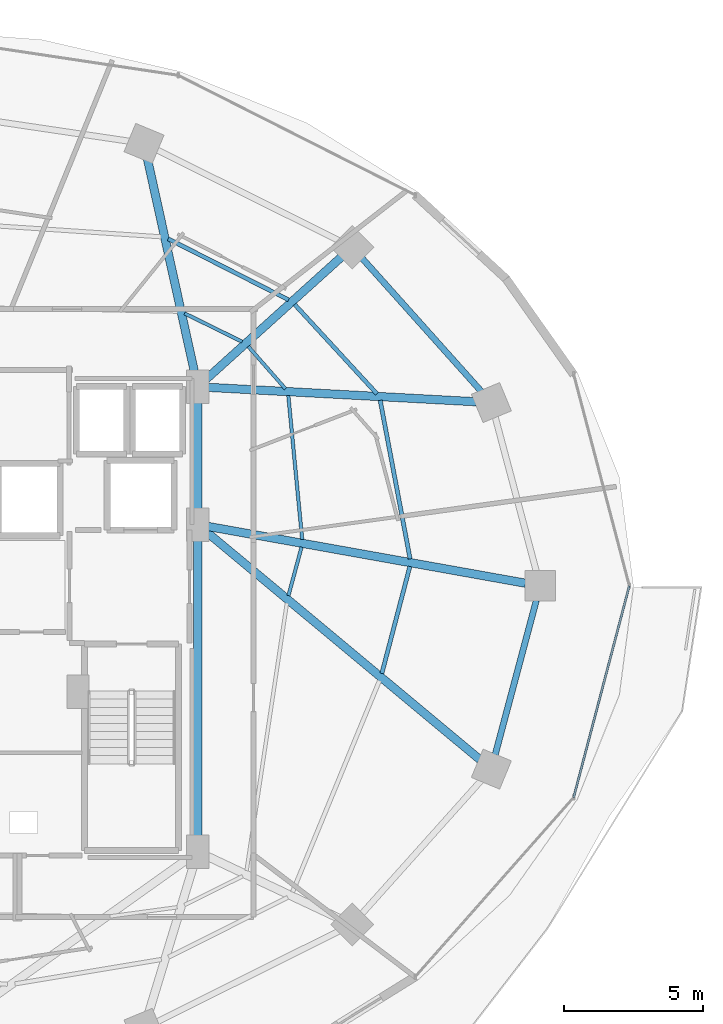
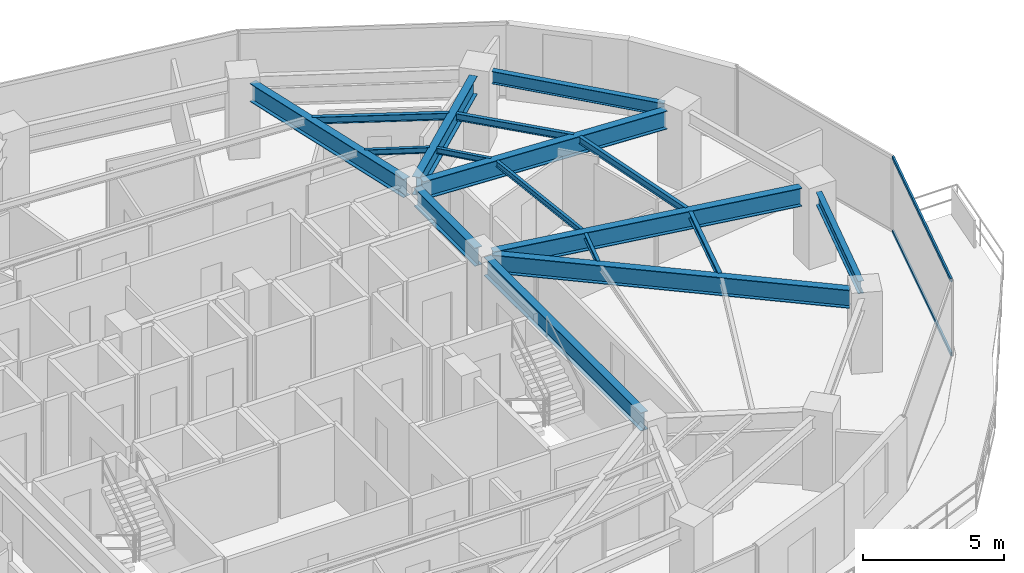
# One storey, part 14 of 30: 17 beams, 2 members, 1 element without a shape of its own.
"""IFC4 building model written with IfcOpenShell, lengths in metres."""

from ifc_helpers import new_model, si_unit, direction, frame, origin, origin_2d, place, context, subcontext, project, spatial, hollow_rectangle, i_section, extrude, material, material_profile, profile_set, type_object, element, aggregate, save


model = new_model("IFC4")

# Units and contexts
model_context = context("Model", 3, precision=1e-05, world=origin(), true_north=direction((0.0, 1.0)))
body_context = subcontext(model_context, "Body", "Model", "MODEL_VIEW")
ifc_project = project(units=[si_unit("LENGTHUNIT", "METRE"), si_unit("AREAUNIT", "SQUARE_METRE"), si_unit("VOLUMEUNIT", "CUBIC_METRE"), si_unit("PLANEANGLEUNIT", "RADIAN"), si_unit("MASSUNIT", "GRAM", prefix="KILO")], contexts=[model_context])

# Site, building, storey
site_placement = place(None, origin())
site = spatial("IfcSite", under=ifc_project, at=site_placement, CompositionType="ELEMENT")
building_placement = place(site_placement, origin())
building = spatial("IfcBuilding", under=site, at=building_placement, Name="Vorneva Point Tower", CompositionType="ELEMENT")
storey_placement = place(building_placement, frame((0.0, 0.0, 96.300048828125)))
storey = spatial("IfcBuildingStorey", under=building, at=storey_placement, Name="L25", CompositionType="ELEMENT", Elevation=96.300048828125)

# Beams
ifc_material_1 = material(Name="Steel S355", Category="steel")
ifc_material_profile_1 = material_profile(ifc_material_1, i_section(OverallWidth=0.300048828125, OverallDepth=0.7880859375, WebThickness=0.014404296875, FlangeThickness=0.02197265625, at=origin_2d()), Name="80Sh1")
ifc_profile_set_1 = profile_set([ifc_material_profile_1], Name="Steel S355")
beam_type_1 = type_object("IfcBeamType", Name="BM-GRD-80Sh1", PredefinedType="USERDEFINED", material=ifc_profile_set_1)
beam_1_placement = place(storey_placement, frame((60.5205078125, 26.0947265625, 2.845947265625), z_axis=(-0.984378310682, 0.176066298476, 0.0), x_axis=(-0.176066298476, -0.984378310682, 0.0)))
element("IfcBeam", 1, at=beam_1_placement, inside=storey, type_object=beam_type_1, Name="L25 Radial Primary Girder 01", ObjectType="GIRDER", PredefinedType="USERDEFINED", context=body_context, shape_type="SweptSolid", body=[
    extrude(i_section(OverallWidth=0.300048828125, OverallDepth=0.7880859375, WebThickness=0.014404296875, FlangeThickness=0.02197265625, at=origin_2d()), origin(), (0.0, 0.0, 1.0), 11.6171875),
])
beam_2_placement = place(storey_placement, frame((58.75830078125, 32.611083984375, 2.845947265625), z_axis=(-0.998554075878, 0.053756465161, 0.0), x_axis=(-0.053756465161, -0.998554075878, 0.0)))
element("IfcBeam", 2, at=beam_2_placement, inside=storey, type_object=beam_type_1, Name="L25 Radial Primary Girder 02", ObjectType="GIRDER", PredefinedType="USERDEFINED", context=body_context, shape_type="SweptSolid", body=[
    extrude(i_section(OverallWidth=0.300048828125, OverallDepth=0.7880859375, WebThickness=0.014404296875, FlangeThickness=0.02197265625, at=origin_2d()), origin(), (0.0, 0.0, 1.0), 9.6826171875),
])
beam_3_placement = place(storey_placement, frame((53.899658203125, 37.801513671875, 2.845947265625), z_axis=(-0.742097300344, -0.670292172729, 0.0), x_axis=(0.670292172729, -0.742097300344, 0.0)))
element("IfcBeam", 3, at=beam_3_placement, inside=storey, type_object=beam_type_1, Name="L25 Radial Primary Girder 03", ObjectType="GIRDER", PredefinedType="USERDEFINED", context=body_context, shape_type="SweptSolid", body=[
    extrude(i_section(OverallWidth=0.300048828125, OverallDepth=0.7880859375, WebThickness=0.014404296875, FlangeThickness=0.02197265625, at=origin_2d()), origin(), (0.0, 0.0, 1.0), 6.599365234375),
])
beam_4_placement = place(storey_placement, frame((46.936767578125, 41.365234375, 2.845947265625), z_axis=(0.215530944428, -0.976497010745, 0.0), x_axis=(0.976497010745, 0.215530944428, 0.0)))
element("IfcBeam", 4, at=beam_4_placement, inside=storey, type_object=beam_type_1, Name="L25 Radial Primary Girder 04", ObjectType="GIRDER", PredefinedType="USERDEFINED", context=body_context, shape_type="SweptSolid", body=[
    extrude(i_section(OverallWidth=0.300048828125, OverallDepth=0.7880859375, WebThickness=0.014404296875, FlangeThickness=0.02197265625, at=origin_2d()), origin(), (0.0, 0.0, 1.0), 8.072998046875),
])
beam_5_placement = place(storey_placement, frame((58.882080078125, 19.76220703125, 2.845947265625), z_axis=(-0.768431550428, 0.639931990376, 0.0), x_axis=(-0.639931990376, -0.768431550428, 0.0)))
element("IfcBeam", 5, at=beam_5_placement, inside=storey, type_object=beam_type_1, Name="L25 Radial Primary Girder 16", ObjectType="GIRDER", PredefinedType="USERDEFINED", context=body_context, shape_type="SweptSolid", body=[
    extrude(i_section(OverallWidth=0.300048828125, OverallDepth=0.7880859375, WebThickness=0.014404296875, FlangeThickness=0.02197265625, at=origin_2d()), origin(), (0.0, 0.0, 1.0), 12.845458984375),
])
beam_6_placement = place(storey_placement, frame((48.75, 16.77001953125, 2.845947265625), z_axis=(0.0, 1.0, 0.0), x_axis=(-1.0, 0.0, 0.0)))
element("IfcBeam", 6, at=beam_6_placement, inside=storey, type_object=beam_type_1, Name="L25 Core Tie Girder CT3", ObjectType="GIRDER", PredefinedType="USERDEFINED", context=body_context, shape_type="SweptSolid", body=[
    extrude(i_section(OverallWidth=0.300048828125, OverallDepth=0.7880859375, WebThickness=0.014404296875, FlangeThickness=0.02197265625, at=origin_2d()), origin(), (0.0, 0.0, 1.0), 11.10986328125),
])
beam_7_placement = place(storey_placement, frame((48.75, 28.52001953125, 2.845947265625), z_axis=(0.0, 1.0, 0.0), x_axis=(-1.0, 0.0, 0.0)))
element("IfcBeam", 7, at=beam_7_placement, inside=storey, type_object=beam_type_1, Name="L25 Core Tie Girder CT4", ObjectType="GIRDER", PredefinedType="USERDEFINED", context=body_context, shape_type="SweptSolid", body=[
    extrude(i_section(OverallWidth=0.300048828125, OverallDepth=0.7880859375, WebThickness=0.014404296875, FlangeThickness=0.02197265625, at=origin_2d()), origin(), (0.0, 0.0, 1.0), 4.31005859375),
])
ifc_material_profile_2 = material_profile(ifc_material_1, i_section(OverallWidth=0.1240234375, OverallDepth=0.248046875, WebThickness=0.0048828125, FlangeThickness=0.008056640625, at=origin_2d()), Name="25B1")
ifc_profile_set_2 = profile_set([ifc_material_profile_2], Name="Steel S355")
beam_type_2 = type_object("IfcBeamType", Name="BM-JST-25B1", PredefinedType="JOIST", material=ifc_profile_set_2)
beam_8_placement = place(storey_placement, frame((52.502197265625, 27.663818359375, 3.115966796875), z_axis=(-0.095950449471, 0.99538611164, 0.0), x_axis=(-0.99538611164, -0.095950449471, 0.0)))
element("IfcBeam", 8, at=beam_8_placement, inside=storey, type_object=beam_type_2, Name="L25 Secondary Floor Beam 2.01", PredefinedType="JOIST", context=body_context, shape_type="SweptSolid", body=[
    extrude(i_section(OverallWidth=0.1240234375, OverallDepth=0.248046875, WebThickness=0.0048828125, FlangeThickness=0.008056640625, at=origin_2d()), origin(), (0.0, 0.0, 1.0), 5.1982421875),
])
beam_9_placement = place(storey_placement, frame((51.899169921875, 33.0791015625, 3.115966796875), z_axis=(-0.659826069544, 0.751418364129, 0.0), x_axis=(-0.751418364129, -0.659826069544, 0.0)))
element("IfcBeam", 9, at=beam_9_placement, inside=storey, type_object=beam_type_2, Name="L25 Secondary Floor Beam 2.02", PredefinedType="JOIST", context=body_context, shape_type="SweptSolid", body=[
    extrude(i_section(OverallWidth=0.1240234375, OverallDepth=0.248046875, WebThickness=0.0048828125, FlangeThickness=0.008056640625, at=origin_2d()), origin(), (0.0, 0.0, 1.0), 2.02587890625),
])
beam_10_placement = place(storey_placement, frame((50.34765625, 34.76611328125, 3.115966796875), z_axis=(-0.896973792336, 0.442083720423, 0.0), x_axis=(-0.442083720423, -0.896973792336, 0.0)))
element("IfcBeam", 10, at=beam_10_placement, inside=storey, type_object=beam_type_2, Name="L25 Secondary Floor Beam 2.03", PredefinedType="JOIST", context=body_context, shape_type="SweptSolid", body=[
    extrude(i_section(OverallWidth=0.1240234375, OverallDepth=0.248046875, WebThickness=0.0048828125, FlangeThickness=0.008056640625, at=origin_2d()), origin(), (0.0, 0.0, 1.0), 2.306640625),
])
beam_11_placement = place(storey_placement, frame((52.008544921875, 25.6494140625, 3.115966796875), z_axis=(0.260714981089, 0.965415816442, 0.0), x_axis=(-0.965415816442, 0.260714981089, 0.0)))
element("IfcBeam", 11, at=beam_11_placement, inside=storey, type_object=beam_type_2, Name="L25 Secondary Floor Beam 2.16", PredefinedType="JOIST", context=body_context, shape_type="SweptSolid", body=[
    extrude(i_section(OverallWidth=0.1240234375, OverallDepth=0.248046875, WebThickness=0.0048828125, FlangeThickness=0.008056640625, at=origin_2d()), origin(), (0.0, 0.0, 1.0), 1.806396484375),
])
ifc_material_profile_3 = material_profile(ifc_material_1, i_section(OverallWidth=0.14892578125, OverallDepth=0.298095703125, WebThickness=0.005615234375, FlangeThickness=0.008056640625, at=origin_2d()), Name="30B1")
ifc_profile_set_3 = profile_set([ifc_material_profile_3], Name="Steel S355")
beam_type_3 = type_object("IfcBeamType", Name="BM-JST-30B1", PredefinedType="JOIST", material=ifc_profile_set_3)
beam_12_placement = place(storey_placement, frame((56.3779296875, 26.966796875, 3.091064453125), z_axis=(-0.185445459746, 0.98265455856, 0.0), x_axis=(-0.98265455856, -0.185445459746, 0.0)))
element("IfcBeam", 12, at=beam_12_placement, inside=storey, type_object=beam_type_3, Name="L25 Secondary Floor Beam 1.01", PredefinedType="JOIST", context=body_context, shape_type="SweptSolid", body=[
    extrude(i_section(OverallWidth=0.14892578125, OverallDepth=0.298095703125, WebThickness=0.005615234375, FlangeThickness=0.008056640625, at=origin_2d()), origin(), (0.0, 0.0, 1.0), 5.796630859375),
])
beam_13_placement = place(storey_placement, frame((55.18408203125, 32.89990234375, 3.091064453125), z_axis=(-0.677423941883, 0.735592824165, 0.0), x_axis=(-0.735592824165, -0.677423941883, 0.0)))
element("IfcBeam", 13, at=beam_13_placement, inside=storey, type_object=beam_type_3, Name="L25 Secondary Floor Beam 1.02", PredefinedType="JOIST", context=body_context, shape_type="SweptSolid", body=[
    extrude(i_section(OverallWidth=0.14892578125, OverallDepth=0.298095703125, WebThickness=0.005615234375, FlangeThickness=0.008056640625, at=origin_2d()), origin(), (0.0, 0.0, 1.0), 4.36083984375),
])
beam_14_placement = place(storey_placement, frame((52.013427734375, 36.271484375, 3.091064453125), z_axis=(-0.891957851433, 0.452118558862, 0.0), x_axis=(-0.452118558862, -0.891957851433, 0.0)))
element("IfcBeam", 14, at=beam_14_placement, inside=storey, type_object=beam_type_3, Name="L25 Secondary Floor Beam 1.03", PredefinedType="JOIST", context=body_context, shape_type="SweptSolid", body=[
    extrude(i_section(OverallWidth=0.14892578125, OverallDepth=0.298095703125, WebThickness=0.005615234375, FlangeThickness=0.008056640625, at=origin_2d()), origin(), (0.0, 0.0, 1.0), 4.851318359375),
])
beam_15_placement = place(storey_placement, frame((55.363525390625, 22.85498046875, 3.091064453125), z_axis=(0.253064919309, 0.967449299248, 0.0), x_axis=(-0.967449299248, 0.253064919309, 0.0)))
element("IfcBeam", 15, at=beam_15_placement, inside=storey, type_object=beam_type_3, Name="L25 Secondary Floor Beam 1.16", PredefinedType="JOIST", context=body_context, shape_type="SweptSolid", body=[
    extrude(i_section(OverallWidth=0.14892578125, OverallDepth=0.298095703125, WebThickness=0.005615234375, FlangeThickness=0.008056640625, at=origin_2d()), origin(), (0.0, 0.0, 1.0), 3.971923828125),
])
ifc_material_profile_4 = material_profile(ifc_material_1, i_section(OverallWidth=0.219970703125, OverallDepth=0.54296875, WebThickness=0.009521484375, FlangeThickness=0.013427734375, at=origin_2d()), Name="55B1")
ifc_profile_set_4 = profile_set([ifc_material_profile_4], Name="Steel S355")
beam_type_4 = type_object("IfcBeamType", Name="BM-SPN-55B1", PredefinedType="SPANDREL", material=ifc_profile_set_4)
beam_16_placement = place(storey_placement, frame((58.9384765625, 32.980712890625, 2.968505859375), z_axis=(-0.667073815664, 0.744991627105, 0.0), x_axis=(-0.744991627105, -0.667073815664, 0.0)))
element("IfcBeam", 16, at=beam_16_placement, inside=storey, type_object=beam_type_4, Name="L25 Perimeter Spandrel Ring Beam 02", PredefinedType="SPANDREL", context=body_context, shape_type="SweptSolid", body=[
    extrude(i_section(OverallWidth=0.219970703125, OverallDepth=0.54296875, WebThickness=0.009521484375, FlangeThickness=0.013427734375, at=origin_2d()), origin(), (0.0, 0.0, 1.0), 6.420166015625),
])
beam_17_placement = place(storey_placement, frame((59.43310546875, 19.934814453125, 2.968505859375), z_axis=(0.257572674071, 0.966258928845, 0.0), x_axis=(-0.966258928845, 0.257572674071, 0.0)))
element("IfcBeam", 17, at=beam_17_placement, inside=storey, type_object=beam_type_4, Name="L25 Perimeter Spandrel Ring Beam 16", PredefinedType="SPANDREL", context=body_context, shape_type="SweptSolid", body=[
    extrude(i_section(OverallWidth=0.219970703125, OverallDepth=0.54296875, WebThickness=0.009521484375, FlangeThickness=0.013427734375, at=origin_2d()), origin(), (0.0, 0.0, 1.0), 5.7421875),
])

# Curtain wall, members
ifc_material_2 = material(Name="Pale anodised aluminium", Category="aluminium")
curtain_wall_type = type_object("IfcCurtainWallType", Name="CW-HTL-SYS", PredefinedType="NOTDEFINED", material=ifc_material_2)
curtain_wall_placement = place(storey_placement, origin())
curtain_wall = element("IfcCurtainWall", 18, at=curtain_wall_placement, inside=storey, type_object=curtain_wall_type, Name="L25 Unitised Curtain Wall CW-L25-R01", PredefinedType="NOTDEFINED")
ifc_material_profile_5 = material_profile(ifc_material_2, hollow_rectangle(XDim=0.074951171875, YDim=0.14990234375, WallThickness=0.00390625, at=origin_2d()), Name="AL-TRN 150x75x4")
ifc_profile_set_5 = profile_set([ifc_material_profile_5], Name="Pale anodised aluminium")
member_type = type_object("IfcMemberType", Name="CW-TRN-150", PredefinedType="USERDEFINED", material=ifc_profile_set_5)
member_1_placement = place(storey_placement, frame((62.251708984375, 18.40380859375, 0.02001953125), z_axis=(0.254409150465, 0.967096677773, 0.0), x_axis=(-0.967096677773, 0.254409150465, 0.0)))
member_1 = element("IfcMember", 19, at=member_1_placement, type_object=member_type, Name="CW-L25-R01 Transom 02.1", ObjectType="TRANSOM", PredefinedType="USERDEFINED", context=body_context, shape_type="SweptSolid", body=[
    extrude(hollow_rectangle(XDim=0.074951171875, YDim=0.14990234375, WallThickness=0.00390625, at=origin_2d()), origin(), (0.0, 0.0, 1.0), 7.854736328125),
])
member_2_placement = place(storey_placement, frame((62.251708984375, 18.40380859375, 3.219970703125), z_axis=(0.254409150465, 0.967096677773, 0.0), x_axis=(-0.967096677773, 0.254409150465, 0.0)))
member_2 = element("IfcMember", 20, at=member_2_placement, type_object=member_type, Name="CW-L25-R01 Transom 02.2", ObjectType="TRANSOM", PredefinedType="USERDEFINED", context=body_context, shape_type="SweptSolid", body=[
    extrude(hollow_rectangle(XDim=0.074951171875, YDim=0.14990234375, WallThickness=0.00390625, at=origin_2d()), origin(), (0.0, 0.0, 1.0), 7.854736328125),
])
aggregate(curtain_wall, [member_1, member_2])

save(model, "model.ifc")
